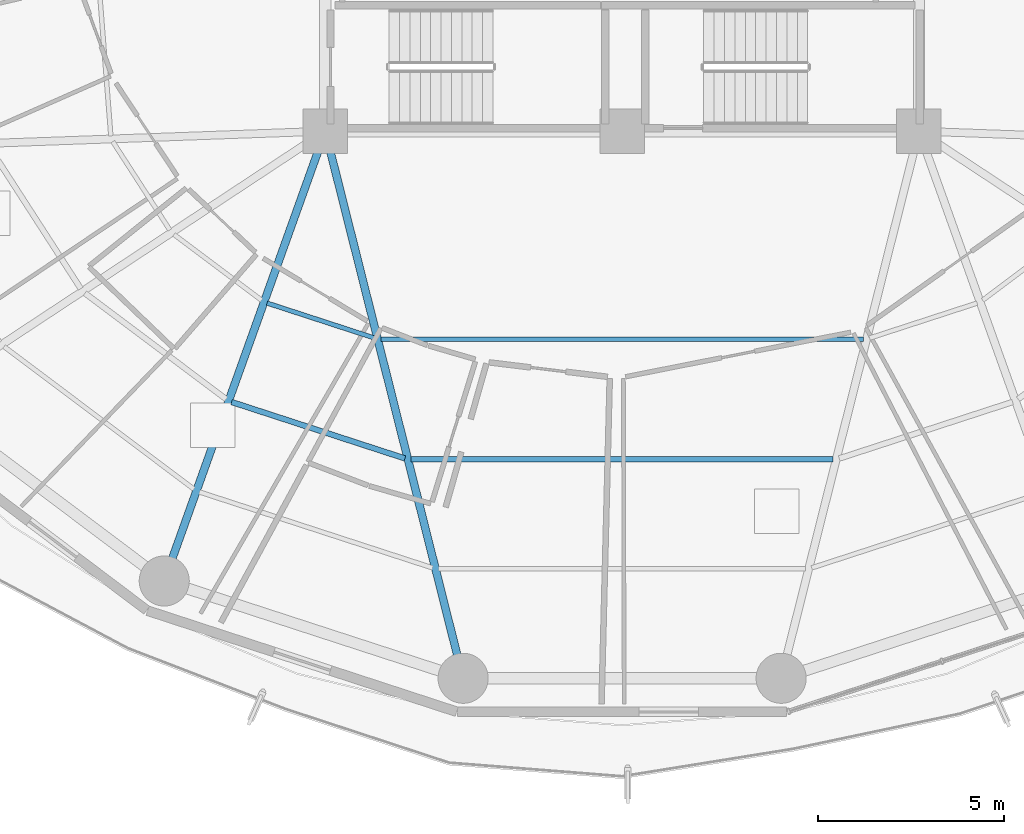
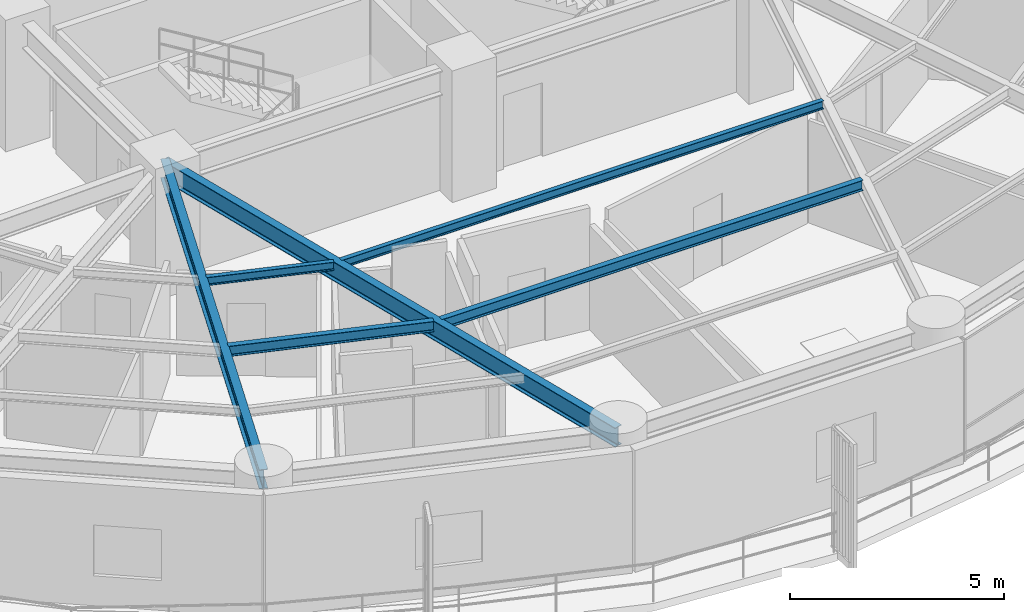
# One storey, part 5 of 35: 6 beams.
"""IFC4 building model written with IfcOpenShell, lengths in metres."""

from ifc_helpers import new_model, si_unit, direction, frame, origin, origin_2d, place, context, subcontext, project, spatial, i_section, extrude, material, material_profile, profile_set, type_object, element, save


model = new_model("IFC4")

# Units and contexts
model_context = context("Model", 3, precision=1e-05, world=origin(), true_north=direction((0.0, 1.0)))
body_context = subcontext(model_context, "Body", "Model", "MODEL_VIEW")
ifc_project = project(units=[si_unit("LENGTHUNIT", "METRE"), si_unit("AREAUNIT", "SQUARE_METRE"), si_unit("VOLUMEUNIT", "CUBIC_METRE"), si_unit("PLANEANGLEUNIT", "RADIAN"), si_unit("MASSUNIT", "GRAM", prefix="KILO")], contexts=[model_context])

# Site, building, storey
site_placement = place(None, origin())
site = spatial("IfcSite", under=ifc_project, at=site_placement, CompositionType="ELEMENT")
building_placement = place(site_placement, origin())
building = spatial("IfcBuilding", under=site, at=building_placement, Name="Kelanora Arch Commons", CompositionType="ELEMENT")
storey_placement = place(building_placement, frame((0.0, 0.0, 121.35009765625)))
storey = spatial("IfcBuildingStorey", under=building, at=storey_placement, Name="L31", CompositionType="ELEMENT", Elevation=121.35009765625)

# Beams
ifc_material = material(Name="Steel S355", Category="steel")
ifc_material_profile_1 = material_profile(ifc_material, i_section(OverallWidth=0.14990234375, OverallDepth=0.300048828125, WebThickness=0.007080078125, FlangeThickness=0.0107421875, FilletRadius=0.014892578125, at=origin_2d()), Name="IPE300")
ifc_profile_set_1 = profile_set([ifc_material_profile_1], Name="Steel S355")
beam_type_1 = type_object("IfcBeamType", Name="BM-JST-01", PredefinedType="JOIST", material=ifc_profile_set_1)
beam_1_placement = place(storey_placement, frame((63.476806640625, 43.70068359375, 3.33984375), z_axis=(0.950857140254, -0.309629938521, 0.0), x_axis=(0.309629938521, 0.950857140254, 0.0)))
element("IfcBeam", 1, at=beam_1_placement, inside=storey, type_object=beam_type_1, Name="Secondary Chord Joist BJB-24 L31", PredefinedType="JOIST", context=body_context, shape_type="SweptSolid", body=[
    extrude(i_section(OverallWidth=0.14990234375, OverallDepth=0.300048828125, WebThickness=0.007080078125, FlangeThickness=0.0107421875, FilletRadius=0.014892578125, at=origin_2d()), origin(), (0.0, 0.0, 1.0), 4.912353515625),
])
beam_2_placement = place(storey_placement, frame((68.313720703125, 42.1533203125, 3.33984375), z_axis=(1.0, 0.0, 0.0), x_axis=(0.0, 1.0, 0.0)))
element("IfcBeam", 2, at=beam_2_placement, inside=storey, type_object=beam_type_1, Name="Secondary Chord Joist BJB-26 L31", PredefinedType="JOIST", context=body_context, shape_type="SweptSolid", body=[
    extrude(i_section(OverallWidth=0.14990234375, OverallDepth=0.300048828125, WebThickness=0.007080078125, FlangeThickness=0.0107421875, FilletRadius=0.014892578125, at=origin_2d()), origin(), (0.0, 0.0, 1.0), 11.37255859375),
])
ifc_material_profile_2 = material_profile(ifc_material, i_section(OverallWidth=0.1201171875, OverallDepth=0.239990234375, WebThickness=0.006103515625, FlangeThickness=0.009765625, FilletRadius=0.014892578125, at=origin_2d()), Name="IPE240")
ifc_profile_set_2 = profile_set([ifc_material_profile_2], Name="Steel S355")
beam_type_2 = type_object("IfcBeamType", Name="BM-JST-02", PredefinedType="JOIST", material=ifc_profile_set_2)
beam_3_placement = place(storey_placement, frame((64.431640625, 46.367431640625, 3.369873046875), z_axis=(0.950846758946, -0.309661817151, 0.0), x_axis=(0.309661817151, 0.950846758946, 0.0)))
element("IfcBeam", 3, at=beam_3_placement, inside=storey, type_object=beam_type_2, Name="Secondary Chord Joist BJA-24 L31", PredefinedType="JOIST", context=body_context, shape_type="SweptSolid", body=[
    extrude(i_section(OverallWidth=0.1201171875, OverallDepth=0.239990234375, WebThickness=0.006103515625, FlangeThickness=0.009765625, FilletRadius=0.014892578125, at=origin_2d()), origin(), (0.0, 0.0, 1.0), 3.048828125),
])
beam_4_placement = place(storey_placement, frame((67.49658203125, 45.397216796875, 3.369873046875), z_axis=(1.0, 0.0, 0.0), x_axis=(0.0, 1.0, 0.0)))
element("IfcBeam", 4, at=beam_4_placement, inside=storey, type_object=beam_type_2, Name="Secondary Chord Joist BJA-26 L31", PredefinedType="JOIST", context=body_context, shape_type="SweptSolid", body=[
    extrude(i_section(OverallWidth=0.1201171875, OverallDepth=0.239990234375, WebThickness=0.006103515625, FlangeThickness=0.009765625, FilletRadius=0.014892578125, at=origin_2d()), origin(), (0.0, 0.0, 1.0), 13.0068359375),
])
ifc_material_profile_3 = material_profile(ifc_material, i_section(OverallWidth=0.2099609375, OverallDepth=0.550048828125, WebThickness=0.010986328125, FlangeThickness=0.01708984375, FilletRadius=0.02392578125, at=origin_2d()), Name="IPE550")
ifc_profile_set_3 = profile_set([ifc_material_profile_3], Name="Steel S355")
beam_type_3 = type_object("IfcBeamType", Name="BM-RAD-Z2", PredefinedType="BEAM", material=ifc_profile_set_3)
beam_5_placement = place(storey_placement, frame((66.0, 51.0, 3.21484375), z_axis=(-0.337084640008, -0.941474346687, 0.0), x_axis=(0.941474346687, -0.337084640008, 0.0)))
element("IfcBeam", 5, at=beam_5_placement, inside=storey, type_object=beam_type_3, Name="Radial Floor Girder BR-24 L31", PredefinedType="BEAM", context=body_context, shape_type="SweptSolid", body=[
    extrude(i_section(OverallWidth=0.2099609375, OverallDepth=0.550048828125, WebThickness=0.010986328125, FlangeThickness=0.01708984375, FilletRadius=0.02392578125, at=origin_2d()), origin(), (0.0, 0.0, 1.0), 12.875244140625),
])
beam_6_placement = place(storey_placement, frame((66.0, 51.0, 3.21484375), z_axis=(0.244280647475, -0.969704576286, 0.0), x_axis=(0.969704576286, 0.244280647475, 0.0)))
element("IfcBeam", 6, at=beam_6_placement, inside=storey, type_object=beam_type_3, Name="Radial Floor Girder BR-26 L31", PredefinedType="BEAM", context=body_context, shape_type="SweptSolid", body=[
    extrude(i_section(OverallWidth=0.2099609375, OverallDepth=0.550048828125, WebThickness=0.010986328125, FlangeThickness=0.01708984375, FilletRadius=0.02392578125, at=origin_2d()), origin(), (0.0, 0.0, 1.0), 15.205322265625),
])

save(model, "model.ifc")
